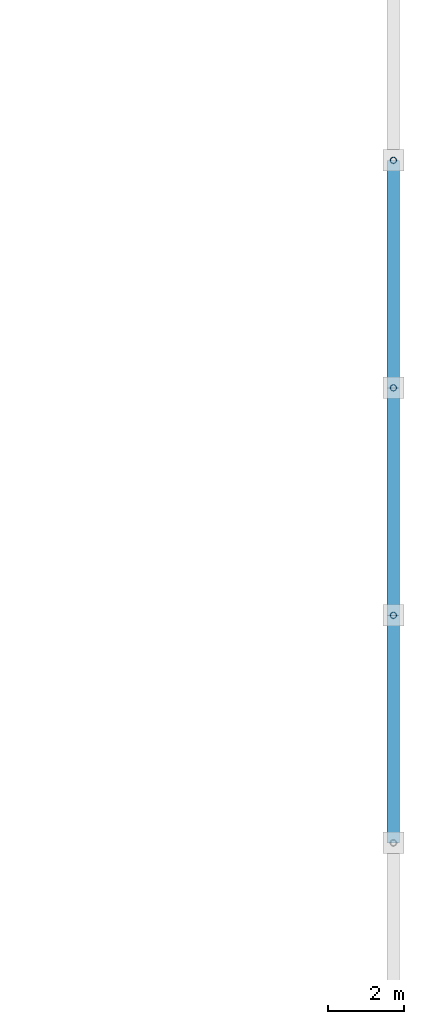
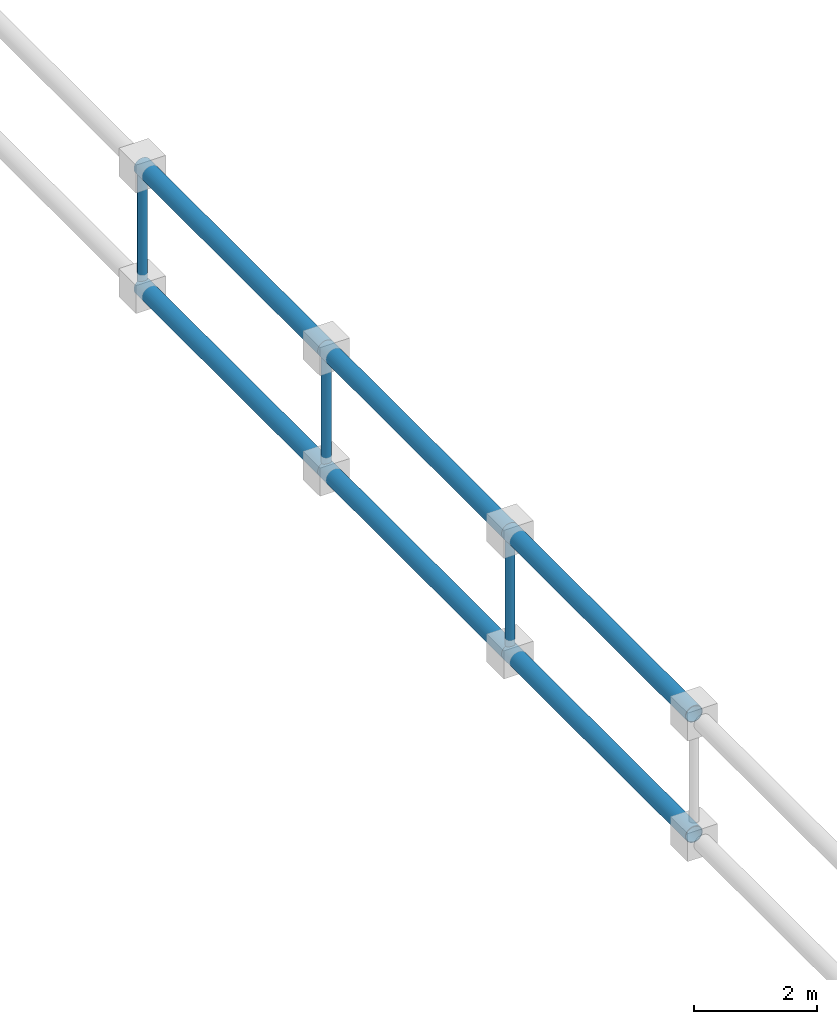
# One storey, part 92 of 148: 9 members.
"""IFC4 building model written with IfcOpenShell, lengths in metres."""

import ifcopenshell
import ifcopenshell.guid

model = None  # the IFC model being written
_history = None  # IfcOwnerHistory: only IFC2X3 demands one
_inside = {}  # id of a spatial element -> (the spatial element, [elements in it])
_under = {}  # id of a project, library or spatial element -> (it, [spatial elements below it])
_declared = {}  # id of a project -> (the project, [libraries it declares])
_typed = {}  # id of a type object -> (the type object, [elements of that type])
_made_of = {}  # id of a material, layer set ... -> (it, [elements and type objects made of it])


def new_model(schema):
    """Start an empty IFC model of exactly this schema.

    Asked for "IFC4X3", IfcOpenShell would pick the latest addendum, in which some entities
    have other attributes; the version numbers below select the first issue.
    IFC2X3 requires an IfcOwnerHistory on every rooted entity: one is made here for all.
    """
    global model, _history
    if schema == "IFC4X3":
        model = ifcopenshell.file(schema_version=(4, 3, 0, 0))
    else:
        model = ifcopenshell.file(schema=schema)
    _inside.clear()
    _under.clear()
    _declared.clear()
    _typed.clear()
    _made_of.clear()
    _history = None
    if model.schema == "IFC2X3":
        org = make("IfcOrganization", Name="unknown")
        user = make(
            "IfcPersonAndOrganization",
            ThePerson=make("IfcPerson", FamilyName="unknown"),
            TheOrganization=org,
        )
        app = make(
            "IfcApplication",
            ApplicationDeveloper=org,
            Version="unknown",
            ApplicationFullName="unknown",
            ApplicationIdentifier="unknown",
        )
        _history = make(
            "IfcOwnerHistory",
            OwningUser=user,
            OwningApplication=app,
            ChangeAction="ADDED",
            CreationDate=0,
        )
    return model


def make(cls, **values):
    """One entity of the class cls with the attributes given. An attribute that is None is left unset."""
    return model.create_entity(
        cls, **{name: value for name, value in values.items() if value is not None}
    )


def rooted(cls, **values):
    """An entity with a GlobalId (a new one), such as an element, a storey or a relation."""
    return make(cls, GlobalId=ifcopenshell.guid.new(), OwnerHistory=_history, **values)


def si_unit(unit_type, name, prefix=None):
    """IfcSIUnit, for example si_unit("LENGTHUNIT", "METRE", prefix="MILLI")."""
    return make("IfcSIUnit", UnitType=unit_type, Prefix=prefix, Name=name)


def assignment(units):
    """IfcUnitAssignment: the units of a project."""
    return None if units is None else make("IfcUnitAssignment", Units=units)


def point(xyz):
    """IfcCartesianPoint."""
    return None if xyz is None else make("IfcCartesianPoint", Coordinates=xyz)


def direction(xyz):
    """IfcDirection."""
    return None if xyz is None else make("IfcDirection", DirectionRatios=xyz)


def frame(location, z_axis=None, x_axis=None):
    """IfcAxis2Placement3D, a coordinate frame: its origin and axes. An axis left out is left unset."""
    return make(
        "IfcAxis2Placement3D",
        Location=point(location),
        Axis=direction(z_axis),
        RefDirection=direction(x_axis),
    )


def frame_2d(location, x_axis=None):
    """IfcAxis2Placement2D, a coordinate frame in the plane: its origin and x axis."""
    return make(
        "IfcAxis2Placement2D", Location=point(location), RefDirection=direction(x_axis)
    )


def origin():
    """The frame at (0, 0, 0) with its axes left unset."""
    return frame((0.0, 0.0, 0.0))


def origin_2d():
    """The frame at (0, 0) in the plane with its x axis left unset."""
    return frame_2d((0.0, 0.0))


def place(relative_to, where):
    """IfcLocalPlacement: puts the frame where relative to a parent placement (None: the world)."""
    return make(
        "IfcLocalPlacement", PlacementRelTo=relative_to, RelativePlacement=where
    )


def context(
    kind, dimensions, precision=None, world=None, true_north=None, identifier=None
):
    """IfcGeometricRepresentationContext, for example the 3D "Model" context."""
    return make(
        "IfcGeometricRepresentationContext",
        ContextIdentifier=identifier,
        ContextType=kind,
        CoordinateSpaceDimension=dimensions,
        Precision=precision,
        WorldCoordinateSystem=world,
        TrueNorth=true_north,
    )


def subcontext(parent, identifier, kind, view, scale=None):
    """IfcGeometricRepresentationSubContext, for example "Body" below "Model"."""
    return make(
        "IfcGeometricRepresentationSubContext",
        ContextIdentifier=identifier,
        ContextType=kind,
        ParentContext=parent,
        TargetScale=scale,
        TargetView=view,
    )


def project(units=None, contexts=None):
    """IfcProject with its units and contexts."""
    return rooted(
        "IfcProject",
        Name="project",
        RepresentationContexts=contexts,
        UnitsInContext=assignment(units),
    )


def spatial(cls, under=None, at=None, **own):
    """A site, building, storey or space (cls), placed at a placement, below another one or the project."""
    s = rooted(cls, ObjectPlacement=at, **own)
    if under is not None:
        _under.setdefault(under.id(), (under, []))[1].append(s)
    return s


def profile(cls, at=None, kind="AREA", **sizes):
    """A parametric profile (cls). Its sizes go by their IFC names, for example OverallWidth=200.0."""
    return make(cls, ProfileType=kind, Position=at, **sizes)


def hollow_circle(**sizes):
    """IfcCircleHollowProfileDef."""
    return profile("IfcCircleHollowProfileDef", **sizes)


def extrude(swept, where, along, depth):
    """IfcExtrudedAreaSolid: the profile swept, set in the frame where, extruded along a direction by depth."""
    return make(
        "IfcExtrudedAreaSolid",
        SweptArea=swept,
        Position=where,
        ExtrudedDirection=direction(along),
        Depth=depth,
    )


def shape(context_of_items, identifier, shape_type, items):
    """IfcShapeRepresentation: the items that make up one representation, for example the "Body"."""
    return make(
        "IfcShapeRepresentation",
        ContextOfItems=context_of_items,
        RepresentationIdentifier=identifier,
        RepresentationType=shape_type,
        Items=items,
    )


def material(Name=None, Category=None):
    """IfcMaterial."""
    return make("IfcMaterial", Name=Name, Category=Category)


def material_profile(
    of_material, cross_section, Name=None, Category=None, Priority=None
):
    """IfcMaterialProfile: a cross section and its material."""
    return make(
        "IfcMaterialProfile",
        Name=Name,
        Material=of_material,
        Profile=cross_section,
        Priority=Priority,
        Category=Category,
    )


def profile_set(profiles, Name=None, composite=None):
    """IfcMaterialProfileSet."""
    return make(
        "IfcMaterialProfileSet",
        Name=Name,
        MaterialProfiles=profiles,
        CompositeProfile=composite,
    )


def made_of(thing, what):
    """Note that an element or type object is made of a material, layer set ...; save() writes the relation."""
    if what is not None:
        _made_of.setdefault(what.id(), (what, []))[1].append(thing)
    return thing


def type_object(cls, material=None, **own):
    """A type object (cls), such as IfcWallType, which elements share."""
    return made_of(rooted(cls, **own), material)


def element(
    cls,
    number,
    at=None,
    inside=None,
    cuts=None,
    type_object=None,
    material=None,
    context=None,
    identifier="Body",
    shape_type=None,
    held_by="IfcProductDefinitionShape",
    body=None,
    shapes=None,
    **own,
):
    """One element of the class cls, such as IfcWall. Its Tag is "e" and its number.

    at: its placement. inside: the storey or other place that contains it. cuts: it is an
    opening in that element (IfcRelVoidsElement). A single representation is given by context,
    identifier, shape_type and body (its items); several are given by shapes. held_by: the class
    of the entity that holds the representations. save() writes the other relations.
    """
    e = rooted(cls, Tag="e%d" % number, ObjectPlacement=at, **own)
    if body is not None:
        shapes = [shape(context, identifier, shape_type, body)]
    if shapes is not None:
        e.Representation = make(held_by, Representations=shapes)
    if inside is not None:
        _inside.setdefault(inside.id(), (inside, []))[1].append(e)
    if cuts is not None:
        rooted(
            "IfcRelVoidsElement", RelatingBuildingElement=cuts, RelatedOpeningElement=e
        )
    if type_object is not None:
        _typed.setdefault(type_object.id(), (type_object, []))[1].append(e)
    return made_of(e, material)


def aggregate(whole, parts):
    """IfcRelAggregates: a whole, such as a stair, and the parts it consists of."""
    return rooted("IfcRelAggregates", RelatingObject=whole, RelatedObjects=parts)


def save(model, path):
    """Write the relations noted so far, then the file.

    IfcRelAggregates (storeys below a building ...), IfcRelContainedInSpatialStructure (elements
    in a storey), IfcRelDefinesByType, IfcRelAssociatesMaterial and IfcRelDeclares: one each for
    every whole, place, type object, material and project.
    """
    for whole, parts in _under.values():
        aggregate(whole, parts)
    for where, things in _inside.values():
        rooted(
            "IfcRelContainedInSpatialStructure",
            RelatedElements=things,
            RelatingStructure=where,
        )
    for kind, things in _typed.values():
        rooted("IfcRelDefinesByType", RelatedObjects=things, RelatingType=kind)
    for what, things in _made_of.values():
        rooted("IfcRelAssociatesMaterial", RelatedObjects=things, RelatingMaterial=what)
    for by, libraries in _declared.values():
        rooted("IfcRelDeclares", RelatingContext=by, RelatedDefinitions=libraries)
    model.write(path)


model = new_model("IFC4")

# Units and contexts
model_context = context("Model", 3, precision=1e-05, world=origin(), true_north=direction((0.0, 1.0)))
body_context = subcontext(model_context, "Body", "Model", "MODEL_VIEW")
ifc_project = project(units=[si_unit("LENGTHUNIT", "METRE"), si_unit("AREAUNIT", "SQUARE_METRE"), si_unit("VOLUMEUNIT", "CUBIC_METRE"), si_unit("PLANEANGLEUNIT", "RADIAN"), si_unit("MASSUNIT", "GRAM", prefix="KILO")], contexts=[model_context])

# Site, building, storey
site_placement = place(None, origin())
site = spatial("IfcSite", under=ifc_project, at=site_placement, CompositionType="ELEMENT")
building_placement = place(site_placement, origin())
building = spatial("IfcBuilding", under=site, at=building_placement, Name="Trelvath General Hospital", CompositionType="ELEMENT")
storey_placement = place(building_placement, frame((0.0, 0.0, 12.89990234375)))
storey = spatial("IfcBuildingStorey", under=building, at=storey_placement, Name="L03", CompositionType="ELEMENT", Elevation=12.89990234375)

# Members
ifc_material_1 = material(Name="Steel S355", Category="steel")
ifc_material_profile_1 = material_profile(ifc_material_1, hollow_circle(Radius=0.084228515625, WallThickness=0.008056640625, at=origin_2d()), Name="CHS168.3x8.0")
ifc_profile_set_1 = profile_set([ifc_material_profile_1], Name="Steel S355")
member_type_1 = type_object("IfcMemberType", Name="SpaceFrameDiagStd CHS168", PredefinedType="BRACE", material=ifc_profile_set_1)
for number, where, z_axis, x_axis, name in (
    (1, (176.39990234375, 37.199951171875, 0.0), (0.0, 0.0, 1.0), (1.0, 0.0, 0.0), "Space Frame Web Post 7-3"),
    (2, (176.39990234375, 43.199951171875, 0.0), (0.0, 0.0, 1.0), (1.0, 0.0, 0.0), "Space Frame Web Post 7-4"),
    (3, (176.39990234375, 49.199951171875, 0.0), (0.0, 0.0, 1.0), (1.0, 0.0, 0.0), "Space Frame Web Post 7-5"),
):
    element("IfcMember", number, at=place(storey_placement, frame(where, z_axis=z_axis, x_axis=x_axis)), inside=storey, type_object=member_type_1, Name=name, PredefinedType="BRACE", context=body_context, shape_type="SweptSolid", body=[
        extrude(hollow_circle(Radius=0.084228515625, WallThickness=0.008056640625, at=origin_2d()), origin(), (0.0, 0.0, 1.0), 2.400146484375),
    ])
ifc_material_2 = material(Name="Steel S355", Category="steel")
ifc_material_profile_2 = material_profile(ifc_material_2, hollow_circle(Radius=0.161865234375, WallThickness=0.012451171875, at=origin_2d()), Name="CHS323.9x12.5")
ifc_profile_set_2 = profile_set([ifc_material_profile_2], Name="Steel S355")
member_type_2 = type_object("IfcMemberType", Name="SpaceFrameEdgeChord CHS323", PredefinedType="CHORD", material=ifc_profile_set_2)
for number, where, z_axis, x_axis, name in (
    (4, (176.39990234375, 31.199951171875, 0.0), (0.0, 1.0, 0.0), (-1.0, 0.0, 0.0), "Space Frame Bottom Chord Y 7-2"),
    (5, (176.39990234375, 31.199951171875, 2.400146484375), (0.0, 1.0, 0.0), (-1.0, 0.0, 0.0), "Space Frame Top Chord Y 7-2"),
    (6, (176.39990234375, 37.199951171875, 0.0), (0.0, 1.0, 0.0), (-1.0, 0.0, 0.0), "Space Frame Bottom Chord Y 7-3"),
    (7, (176.39990234375, 37.199951171875, 2.400146484375), (0.0, 1.0, 0.0), (-1.0, 0.0, 0.0), "Space Frame Top Chord Y 7-3"),
    (8, (176.39990234375, 43.199951171875, 0.0), (0.0, 1.0, 0.0), (-1.0, 0.0, 0.0), "Space Frame Bottom Chord Y 7-4"),
    (9, (176.39990234375, 43.199951171875, 2.400146484375), (0.0, 1.0, 0.0), (-1.0, 0.0, 0.0), "Space Frame Top Chord Y 7-4"),
):
    element("IfcMember", number, at=place(storey_placement, frame(where, z_axis=z_axis, x_axis=x_axis)), inside=storey, type_object=member_type_2, Name=name, PredefinedType="CHORD", context=body_context, shape_type="SweptSolid", body=[
        extrude(hollow_circle(Radius=0.161865234375, WallThickness=0.012451171875, at=origin_2d()), origin(), (0.0, 0.0, 1.0), 6.0),
    ])

save(model, "model.ifc")
